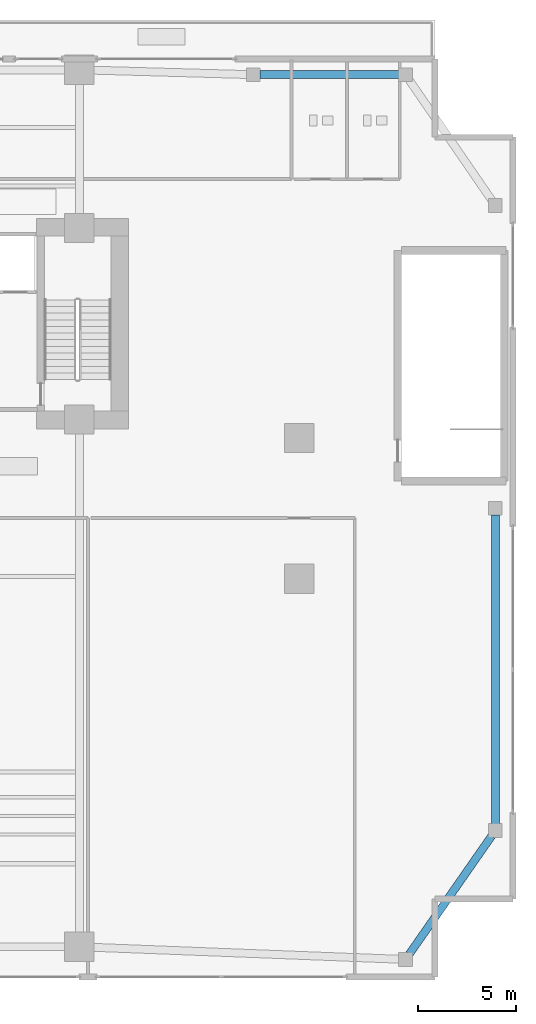
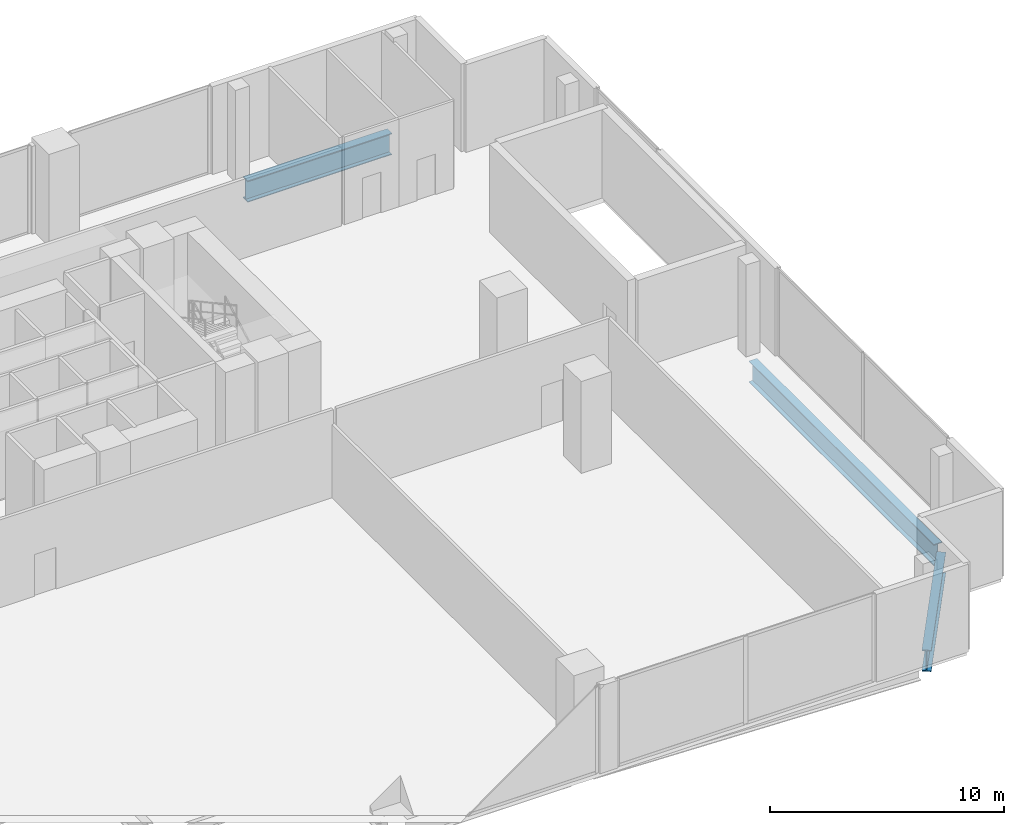
# One storey, part 17 of 28: 3 beams.
"""IFC4 building model written with IfcOpenShell, lengths in metres."""

from ifc_helpers import new_model, si_unit, direction, frame, origin, origin_2d, place, context, subcontext, project, spatial, i_section, extrude, material, material_profile, profile_set, type_object, element, save


model = new_model("IFC4")

# Units and contexts
model_context = context("Model", 3, precision=1e-05, world=origin(), true_north=direction((0.0, 1.0)))
body_context = subcontext(model_context, "Body", "Model", "MODEL_VIEW")
ifc_project = project(units=[si_unit("LENGTHUNIT", "METRE"), si_unit("AREAUNIT", "SQUARE_METRE"), si_unit("VOLUMEUNIT", "CUBIC_METRE"), si_unit("PLANEANGLEUNIT", "RADIAN"), si_unit("MASSUNIT", "GRAM", prefix="KILO")], contexts=[model_context])

# Site, building, storey
site_placement = place(None, origin())
site = spatial("IfcSite", under=ifc_project, at=site_placement, CompositionType="ELEMENT")
building_placement = place(site_placement, origin())
building = spatial("IfcBuilding", under=site, at=building_placement, Name="Zuhayl Quay Hotel", CompositionType="ELEMENT")
storey_placement = place(building_placement, frame((0.0, 0.0, 22.800048828125)))
storey = spatial("IfcBuildingStorey", under=building, at=storey_placement, Name="L04", CompositionType="ELEMENT", Elevation=22.800048828125)

# Beams
ifc_material = material(Name="Steel ASTM A913 Grade 65", Category="steel")
ifc_material_profile = material_profile(ifc_material, i_section(OverallWidth=0.404052734375, OverallDepth=1.117919921875, WebThickness=0.026123046875, FlangeThickness=0.044921875, at=origin_2d()), Name="W44X335")
ifc_profile_set = profile_set([ifc_material_profile], Name="Steel ASTM A913 Grade 65")
beam_type = type_object("IfcBeamType", Name="BM_TG1_W44X335", PredefinedType="BEAM", material=ifc_profile_set)
beam_1_placement = place(storey_placement, frame((23.0400390625, 22.199951171875, -0.819091796875), z_axis=(1.0, 0.0, 0.0), x_axis=(0.0, 1.0, 0.0)))
element("IfcBeam", 1, at=beam_1_placement, inside=storey, type_object=beam_type, Name="L04 Floor Beam PG_N_L04_6", PredefinedType="BEAM", context=body_context, shape_type="SweptSolid", body=[
    extrude(i_section(OverallWidth=0.404052734375, OverallDepth=1.117919921875, WebThickness=0.026123046875, FlangeThickness=0.044921875, at=origin_2d()), origin(), (0.0, 0.0, 1.0), 7.119873046875),
])
beam_2_placement = place(storey_placement, frame((30.6943359375, -22.821044921875, -0.819091796875), z_axis=(0.571785900762, 0.820402878889, 0.0), x_axis=(-0.820402878889, 0.571785900762, 0.0)))
element("IfcBeam", 2, at=beam_2_placement, inside=storey, type_object=beam_type, Name="L04 Floor Beam PG_E_L04_0", PredefinedType="BEAM", context=body_context, shape_type="SweptSolid", body=[
    extrude(i_section(OverallWidth=0.404052734375, OverallDepth=1.117919921875, WebThickness=0.026123046875, FlangeThickness=0.044921875, at=origin_2d()), origin(), (0.0, 0.0, 1.0), 7.364990234375),
])
beam_3_placement = place(storey_placement, frame((35.10009765625, -16.159912109375, -0.819091796875), z_axis=(0.0, 1.0, 0.0), x_axis=(-1.0, 0.0, 0.0)))
element("IfcBeam", 3, at=beam_3_placement, inside=storey, type_object=beam_type, Name="L04 Floor Beam PG_E_L04_1", PredefinedType="BEAM", context=body_context, shape_type="SweptSolid", body=[
    extrude(i_section(OverallWidth=0.404052734375, OverallDepth=1.117919921875, WebThickness=0.026123046875, FlangeThickness=0.044921875, at=origin_2d()), origin(), (0.0, 0.0, 1.0), 15.81982421875),
])

save(model, "model.ifc")
